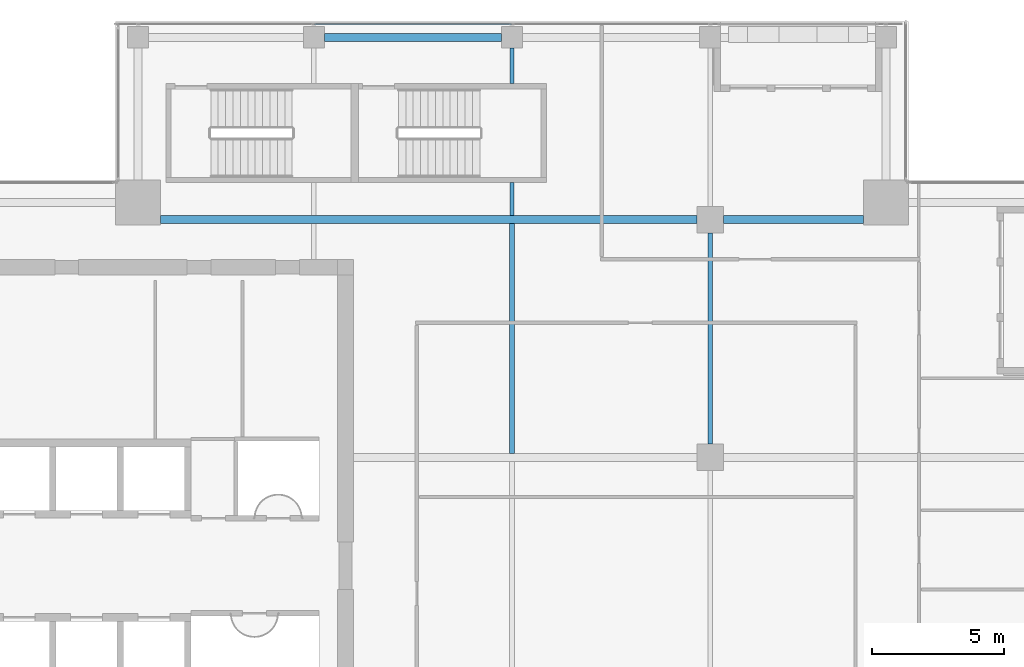
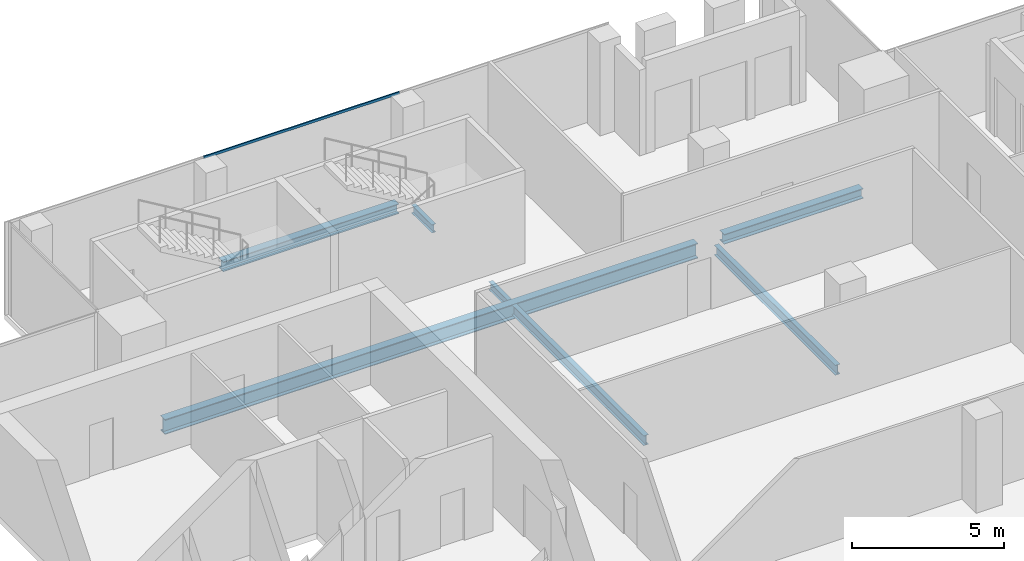
# One storey, part 13 of 28: 7 beams, 1 member, 1 element without a shape of its own.
"""IFC4 building model written with IfcOpenShell, lengths in metres."""

from ifc_helpers import new_model, si_unit, direction, frame, origin, origin_2d, place, context, subcontext, project, spatial, hollow_rectangle, i_section, extrude, source, transform, mapped, material, material_profile, profile_set, type_object, element, aggregate, save


model = new_model("IFC4")

# Units and contexts
model_context = context("Model", 3, precision=1e-05, world=origin(), true_north=direction((0.0, 1.0)))
body_context = subcontext(model_context, "Body", "Model", "MODEL_VIEW")
ifc_project = project(units=[si_unit("LENGTHUNIT", "METRE"), si_unit("AREAUNIT", "SQUARE_METRE"), si_unit("VOLUMEUNIT", "CUBIC_METRE"), si_unit("PLANEANGLEUNIT", "RADIAN"), si_unit("MASSUNIT", "GRAM", prefix="KILO")], contexts=[model_context])

# Site, building, storey
site_placement = place(None, origin())
site = spatial("IfcSite", under=ifc_project, at=site_placement, CompositionType="ELEMENT")
building_placement = place(site_placement, origin())
building = spatial("IfcBuilding", under=site, at=building_placement, Name="Khomas Fold Tower", CompositionType="ELEMENT")
storey_placement = place(building_placement, frame((0.0, 0.0, 298.199951171875)))
storey = spatial("IfcBuildingStorey", under=building, at=storey_placement, Name="L67", CompositionType="ELEMENT", Elevation=298.199951171875)

# Beams
ifc_material_1 = material(Name="Steel S355", Category="steel")
ifc_material_profile_1 = material_profile(ifc_material_1, i_section(OverallWidth=0.179931640625, OverallDepth=0.39990234375, WebThickness=0.008544921875, FlangeThickness=0.013427734375, at=origin_2d()), Name="IPE 400")
ifc_profile_set_1 = profile_set([ifc_material_profile_1], Name="Steel S355")
beam_type_1 = type_object("IfcBeamType", Name="IPE 400 beam JB3", PredefinedType="BEAM", material=ifc_profile_set_1)
shared_shape_1 = source(origin(), body_context, "Body", "SweptSolid", [
    extrude(i_section(OverallWidth=0.179931640625, OverallDepth=0.39990234375, WebThickness=0.008544921875, FlangeThickness=0.013427734375, at=origin_2d()), origin(), (0.0, 0.0, 1.0), 8.7001953125),
])
beam_1_placement = place(storey_placement, frame((27.0, 31.64990234375, -0.449951171875), z_axis=(0.0, 1.0, 0.0), x_axis=(-1.0, 0.0, 0.0)))
element("IfcBeam", 1, at=beam_1_placement, inside=storey, type_object=beam_type_1, Name="JB3", PredefinedType="BEAM", context=body_context, shape_type="MappedRepresentation", body=[
    mapped(shared_shape_1, transform((0.0, 0.0, 0.0))),
])
ifc_material_2 = material(Name="Steel S355", Category="steel")
ifc_material_profile_2 = material_profile(ifc_material_2, i_section(OverallWidth=0.159912109375, OverallDepth=0.330078125, WebThickness=0.007568359375, FlangeThickness=0.011474609375, at=origin_2d()), Name="IPE 330")
ifc_profile_set_2 = profile_set([ifc_material_profile_2], Name="Steel S355")
beam_type_2 = type_object("IfcBeamType", Name="IPE 330 beam JB1", PredefinedType="BEAM", material=ifc_profile_set_2)
shared_shape_2 = source(origin(), body_context, "Body", "SweptSolid", [
    extrude(i_section(OverallWidth=0.159912109375, OverallDepth=0.330078125, WebThickness=0.007568359375, FlangeThickness=0.011474609375, at=origin_2d()), origin(), (0.0, 0.0, 1.0), 1.25),
])
beam_2_placement = place(storey_placement, frame((27.0, 40.64990234375, -0.4150390625), z_axis=(0.0, 1.0, 0.0), x_axis=(-1.0, 0.0, 0.0)))
element("IfcBeam", 2, at=beam_2_placement, inside=storey, type_object=beam_type_2, Name="JB1", PredefinedType="BEAM", context=body_context, shape_type="MappedRepresentation", body=[
    mapped(shared_shape_2, transform((0.0, 0.0, 0.0))),
])
shared_shape_3 = source(origin(), body_context, "Body", "SweptSolid", [
    extrude(i_section(OverallWidth=0.159912109375, OverallDepth=0.330078125, WebThickness=0.007568359375, FlangeThickness=0.011474609375, at=origin_2d()), origin(), (0.0, 0.0, 1.0), 1.35009765625),
])
beam_3_placement = place(storey_placement, frame((27.0, 45.64990234375, -0.4150390625), z_axis=(0.0, 1.0, 0.0), x_axis=(-1.0, 0.0, 0.0)))
element("IfcBeam", 3, at=beam_3_placement, inside=storey, type_object=beam_type_2, Name="JB1", PredefinedType="BEAM", context=body_context, shape_type="MappedRepresentation", body=[
    mapped(shared_shape_3, transform((0.0, 0.0, 0.0))),
])
ifc_material_3 = material(Name="Steel S355", Category="steel")
ifc_material_profile_3 = material_profile(ifc_material_3, i_section(OverallWidth=0.300048828125, OverallDepth=0.39990234375, WebThickness=0.013427734375, FlangeThickness=0.02392578125, at=origin_2d()), Name="HE 400 B")
ifc_profile_set_3 = profile_set([ifc_material_profile_3], Name="Steel S355")
beam_type_3 = type_object("IfcBeamType", Name="HE 400 B spandrel SB5", PredefinedType="SPANDREL", material=ifc_profile_set_3)
shared_shape_4 = source(origin(), body_context, "Body", "SweptSolid", [
    extrude(i_section(OverallWidth=0.300048828125, OverallDepth=0.39990234375, WebThickness=0.013427734375, FlangeThickness=0.02392578125, at=origin_2d()), origin(), (0.0, 0.0, 1.0), 6.7001953125),
])
beam_4_placement = place(storey_placement, frame((19.89990234375, 47.39990234375, -0.449951171875), z_axis=(1.0, 0.0, 0.0), x_axis=(0.0, 1.0, 0.0)))
element("IfcBeam", 4, at=beam_4_placement, inside=storey, type_object=beam_type_3, Name="SB5", PredefinedType="SPANDREL", context=body_context, shape_type="MappedRepresentation", body=[
    mapped(shared_shape_4, transform((0.0, 0.0, 0.0))),
])
ifc_material_4 = material(Name="Steel S355", Category="steel")
ifc_material_profile_4 = material_profile(ifc_material_4, i_section(OverallWidth=0.300048828125, OverallDepth=0.60009765625, WebThickness=0.015380859375, FlangeThickness=0.030029296875, at=origin_2d()), Name="HE 600 B")
ifc_profile_set_4 = profile_set([ifc_material_profile_4], Name="Steel S355")
beam_type_4 = type_object("IfcBeamType", Name="HE 600 B beam GB5", PredefinedType="BEAM", material=ifc_profile_set_4)
shared_shape_5 = source(origin(), body_context, "Body", "SweptSolid", [
    extrude(i_section(OverallWidth=0.300048828125, OverallDepth=0.60009765625, WebThickness=0.015380859375, FlangeThickness=0.030029296875, at=origin_2d()), origin(), (0.0, 0.0, 1.0), 20.300048828125),
])
beam_5_placement = place(storey_placement, frame((13.699951171875, 40.5, -0.550048828125), z_axis=(1.0, 0.0, 0.0), x_axis=(0.0, 1.0, 0.0)))
element("IfcBeam", 5, at=beam_5_placement, inside=storey, type_object=beam_type_4, Name="GB5", PredefinedType="BEAM", context=body_context, shape_type="MappedRepresentation", body=[
    mapped(shared_shape_5, transform((0.0, 0.0, 0.0))),
])
ifc_material_5 = material(Name="Steel S355", Category="steel")
ifc_material_profile_5 = material_profile(ifc_material_5, i_section(OverallWidth=0.300048828125, OverallDepth=0.39990234375, WebThickness=0.013427734375, FlangeThickness=0.02392578125, at=origin_2d()), Name="HE 400 B")
ifc_profile_set_5 = profile_set([ifc_material_profile_5], Name="Steel S355")
beam_type_5 = type_object("IfcBeamType", Name="HE 400 B beam GB1", PredefinedType="BEAM", material=ifc_profile_set_5)
shared_shape_6 = source(origin(), body_context, "Body", "SweptSolid", [
    extrude(i_section(OverallWidth=0.300048828125, OverallDepth=0.39990234375, WebThickness=0.013427734375, FlangeThickness=0.02392578125, at=origin_2d()), origin(), (0.0, 0.0, 1.0), 5.300048828125),
])
beam_6_placement = place(storey_placement, frame((35.0, 40.5, -0.449951171875), z_axis=(1.0, 0.0, 0.0), x_axis=(0.0, 1.0, 0.0)))
element("IfcBeam", 6, at=beam_6_placement, inside=storey, type_object=beam_type_5, Name="GB1", PredefinedType="BEAM", context=body_context, shape_type="MappedRepresentation", body=[
    mapped(shared_shape_6, transform((0.0, 0.0, 0.0))),
])
shared_shape_7 = source(origin(), body_context, "Body", "SweptSolid", [
    extrude(i_section(OverallWidth=0.179931640625, OverallDepth=0.39990234375, WebThickness=0.008544921875, FlangeThickness=0.013427734375, at=origin_2d()), origin(), (0.0, 0.0, 1.0), 8.0),
])
beam_7_placement = place(storey_placement, frame((34.5, 32.0, -0.449951171875), z_axis=(0.0, 1.0, 0.0), x_axis=(-1.0, 0.0, 0.0)))
element("IfcBeam", 7, at=beam_7_placement, inside=storey, type_object=beam_type_1, Name="JB3", PredefinedType="BEAM", context=body_context, shape_type="MappedRepresentation", body=[
    mapped(shared_shape_7, transform((0.0, 0.0, 0.0))),
])

# Curtain wall, member
ifc_material_6 = material(Name="Aluminium framed double glazing", Category="aluminium")
curtain_wall_type = type_object("IfcCurtainWallType", Name="SK-Unitised clear-glass wall, upper floors CW3", PredefinedType="NOTDEFINED", material=ifc_material_6)
curtain_wall_placement = place(storey_placement, origin())
curtain_wall = element("IfcCurtainWall", 8, at=curtain_wall_placement, inside=storey, type_object=curtain_wall_type, Name="CW3 run L67 06-1", PredefinedType="NOTDEFINED")
ifc_material_7 = material(Name="Aluminium", Category="aluminium")
ifc_material_profile_6 = material_profile(ifc_material_7, hollow_rectangle(XDim=0.050048828125, YDim=0.10009765625, WallThickness=0.00390625, at=origin_2d()), Name="SK-Unitised clear-glass wall, upper floors transom CW3-T")
ifc_profile_set_6 = profile_set([ifc_material_profile_6], Name="Aluminium")
member_type = type_object("IfcMemberType", Name="SK-Unitised clear-glass wall, upper floors transom CW3-T", PredefinedType="USERDEFINED", material=ifc_profile_set_6)
shared_shape_8 = source(origin(), body_context, "Body", "SweptSolid", [
    extrude(hollow_rectangle(XDim=0.050048828125, YDim=0.10009765625, WallThickness=0.00390625, at=origin_2d()), origin(), (0.0, 0.0, 1.0), 7.4501953125),
])
member_placement = place(storey_placement, frame((26.97509765625, 47.89990234375, 3.699951171875), z_axis=(-1.0, 0.0, 0.0), x_axis=(0.0, -1.0, 0.0)))
member = element("IfcMember", 9, at=member_placement, type_object=member_type, Name="CW3 transom 3", ObjectType="TRANSOM", PredefinedType="USERDEFINED", context=body_context, shape_type="MappedRepresentation", body=[
    mapped(shared_shape_8, transform((0.0, 0.0, 0.0))),
])
aggregate(curtain_wall, [member])

save(model, "model.ifc")
